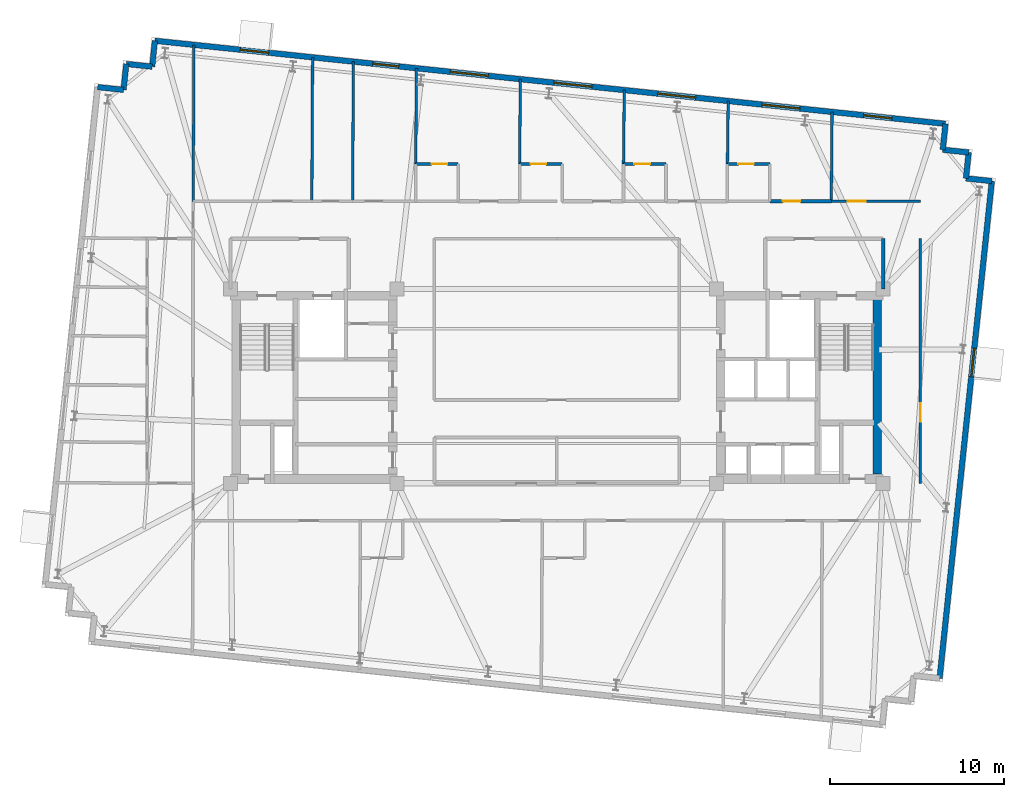
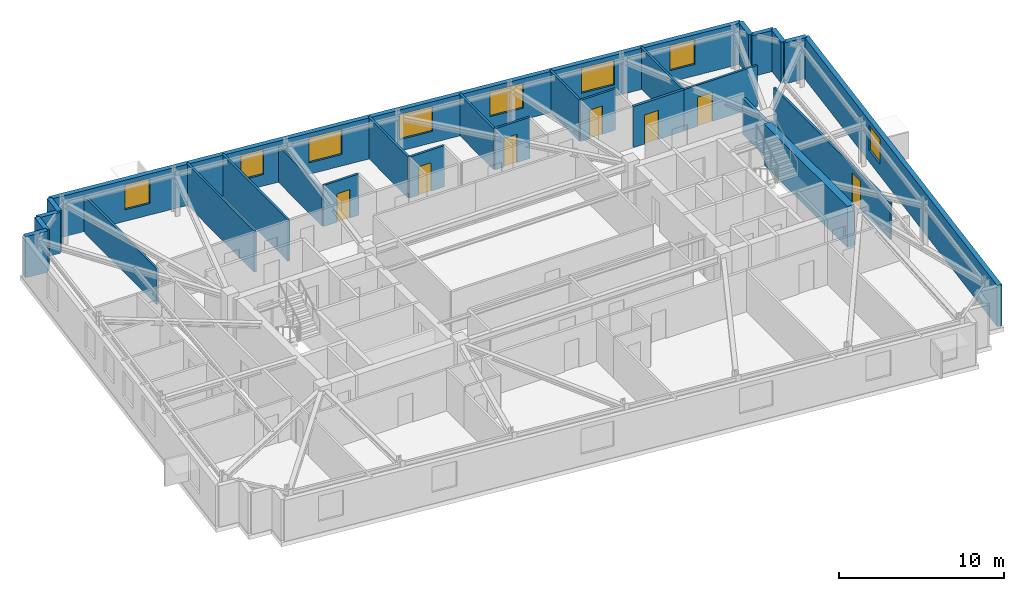
# One storey, part 9 of 13: 27 walls, 8 windows, 7 doors, 15 openings.
"""IFC4 building model written with IfcOpenShell, lengths in metres."""

from ifc_helpers import new_model, si_unit, direction, frame, frame_2d, origin, place, context, subcontext, project, spatial, rectangle, extrude, material, layer, layer_set, type_object, element, fill, save


model = new_model("IFC4")

# Units and contexts
model_context = context("Model", 3, precision=1e-05, world=origin(), true_north=direction((0.0, 1.0)))
body_context = subcontext(model_context, "Body", "Model", "MODEL_VIEW")
ifc_project = project(units=[si_unit("LENGTHUNIT", "METRE"), si_unit("AREAUNIT", "SQUARE_METRE"), si_unit("VOLUMEUNIT", "CUBIC_METRE"), si_unit("PLANEANGLEUNIT", "RADIAN"), si_unit("MASSUNIT", "GRAM", prefix="KILO")], contexts=[model_context])

# Site, building, storey
site_placement = place(None, origin())
site = spatial("IfcSite", under=ifc_project, at=site_placement, CompositionType="ELEMENT")
building_placement = place(site_placement, origin())
building = spatial("IfcBuilding", under=site, at=building_placement, Name="Qobustan Lattice House", CompositionType="ELEMENT")
storey_placement = place(building_placement, frame((0.0, 0.0, 186.35009765625)))
storey = spatial("IfcBuildingStorey", under=building, at=storey_placement, Name="L52", CompositionType="ELEMENT", Elevation=186.35009765625)

# Walls
ifc_material_1 = material(Name="Concrete C50/60", Category="concrete")
ifc_layer_1 = layer(ifc_material_1, 0.5)
ifc_layer_set_1 = layer_set([ifc_layer_1], Name="Concrete C50/60")
wall_type_1 = type_object("IfcWallType", Name="WAL-CORE-500", PredefinedType="SHEAR", material=ifc_layer_set_1)
wall_1_placement = place(storey_placement, frame((18.4599609375, -5.050048828125, 0.0), z_axis=(0.0, 0.0, 1.0), x_axis=(0.0, 1.0, 0.0)))
element("IfcWall", 1, at=wall_1_placement, inside=storey, type_object=wall_type_1, Name="L52 split-core shear wall CE-E", PredefinedType="SHEAR", context=body_context, shape_type="SweptSolid", body=[
    extrude(rectangle(XDim=10.10009765625, YDim=0.5, at=frame_2d((5.050048828125, 0.0))), origin(), (0.0, 0.0, 1.0), 3.039794921875),
])
ifc_material_2 = material(Name="Precast concrete C40/50", Category="concrete")
ifc_layer_2 = layer(ifc_material_2, 0.320068359375)
ifc_layer_set_2 = layer_set([ifc_layer_2], Name="Precast concrete C40/50")
wall_type_2 = type_object("IfcWallType", Name="WAL-EXT-STONE-320", PredefinedType="SOLIDWALL", material=ifc_layer_set_2)
wall_2_placement = place(storey_placement, frame((-26.452880859375, 17.228515625, 0.0), z_axis=(0.0, 0.0, 1.0), x_axis=(0.994508128223, -0.104659366031, 0.0)))
element("IfcWall", 2, at=wall_2_placement, inside=storey, type_object=wall_type_2, Name="L52 exterior limestone-clad wall 6", PredefinedType="SOLIDWALL", context=body_context, shape_type="SweptSolid", body=[
    extrude(rectangle(XDim=1.5, YDim=0.320068359375, at=frame_2d((0.75, 0.0))), origin(), (0.0, 0.0, 1.0), 3.039794921875),
])
wall_3_placement = place(storey_placement, frame((-24.961181640625, 17.071533203125, 0.0), z_axis=(0.0, 0.0, 1.0), x_axis=(0.104642427191, 0.994509910675, 0.0)))
element("IfcWall", 3, at=wall_3_placement, inside=storey, type_object=wall_type_2, Name="L52 exterior limestone-clad wall 7", PredefinedType="SOLIDWALL", context=body_context, shape_type="SweptSolid", body=[
    extrude(rectangle(XDim=1.500244140625, YDim=0.320068359375, at=frame_2d((0.75, 0.0))), origin(), (0.0, 0.0, 1.0), 3.039794921875),
])
wall_4_placement = place(storey_placement, frame((-24.80419921875, 18.5634765625, 0.0), z_axis=(0.0, 0.0, 1.0), x_axis=(0.994508128223, -0.104659366031, 0.0)))
element("IfcWall", 4, at=wall_4_placement, inside=storey, type_object=wall_type_2, Name="L52 exterior limestone-clad wall 8", PredefinedType="SOLIDWALL", context=body_context, shape_type="SweptSolid", body=[
    extrude(rectangle(XDim=1.5, YDim=0.320068359375, at=frame_2d((0.75, 0.0))), origin(), (0.0, 0.0, 1.0), 3.039794921875),
])
wall_5_placement = place(storey_placement, frame((-23.3125, 18.406494140625, 0.0), z_axis=(0.0, 0.0, 1.0), x_axis=(0.104481464157, 0.994526834051, 0.0)))
element("IfcWall", 5, at=wall_5_placement, inside=storey, type_object=wall_type_2, Name="L52 exterior limestone-clad wall 9", PredefinedType="SOLIDWALL", context=body_context, shape_type="SweptSolid", body=[
    extrude(rectangle(XDim=1.500244140625, YDim=0.320068359375, at=frame_2d((0.75, 0.0))), origin(), (0.0, 0.0, 1.0), 3.039794921875),
])

# Wall, openings, windows
wall_6_placement = place(storey_placement, frame((-23.15576171875, 19.8984375, 0.0), z_axis=(0.0, 0.0, 1.0), x_axis=(0.994522001802, -0.104527450613, 0.0)))
wall_6 = element("IfcWall", 6, at=wall_6_placement, inside=storey, type_object=wall_type_2, Name="L52 exterior limestone-clad wall 10", PredefinedType="SOLIDWALL", context=body_context, shape_type="SweptSolid", body=[
    extrude(rectangle(XDim=45.800048828125, YDim=0.320068359375, at=frame_2d((22.89990234375, 0.0))), origin(), (0.0, 0.0, 1.0), 3.039794921875),
])
opening_1_placement = place(wall_6_placement, frame((4.93994140625, 0.0, 0.85009765625)))
opening_1 = element("IfcOpeningElement", 7, at=opening_1_placement, cuts=wall_6, Name="Opening WN-09", PredefinedType="OPENING", context=body_context, shape_type="SweptSolid", body=[
    extrude(rectangle(XDim=1.64990234375, YDim=1.85009765625, at=frame_2d((0.824951171875, 0.925048828125))), frame((0.0, 0.169921875, 0.0), z_axis=(0.0, -1.0, 0.0), x_axis=(1.0, 0.0, 0.0)), (0.0, 0.0, 1.0), 0.340087890625),
])
opening_2_placement = place(wall_6_placement, frame((12.62158203125, 0.0, 0.85009765625)))
opening_2 = element("IfcOpeningElement", 8, at=opening_2_placement, cuts=wall_6, Name="Opening WN-01", PredefinedType="OPENING", context=body_context, shape_type="SweptSolid", body=[
    extrude(rectangle(XDim=1.5, YDim=1.85009765625, at=frame_2d((0.75, 0.925048828125))), frame((0.0, 0.169921875, 0.0), z_axis=(0.0, -1.0, 0.0), x_axis=(1.0, 0.0, 0.0)), (0.0, 0.0, 1.0), 0.340087890625),
])
opening_3_placement = place(wall_6_placement, frame((17.115966796875, 0.0, 0.85009765625)))
opening_3 = element("IfcOpeningElement", 9, at=opening_3_placement, cuts=wall_6, Name="Opening WN-03", PredefinedType="OPENING", context=body_context, shape_type="SweptSolid", body=[
    extrude(rectangle(XDim=2.199951171875, YDim=1.85009765625, at=frame_2d((1.10009765625, 0.925048828125))), frame((0.0, 0.169921875, 0.0), z_axis=(0.0, -1.0, 0.0), x_axis=(1.0, 0.0, 0.0)), (0.0, 0.0, 1.0), 0.340087890625),
])
opening_4_placement = place(wall_6_placement, frame((23.12109375, 0.0, 0.85009765625)))
opening_4 = element("IfcOpeningElement", 10, at=opening_4_placement, cuts=wall_6, Name="Opening WN-03", PredefinedType="OPENING", context=body_context, shape_type="SweptSolid", body=[
    extrude(rectangle(XDim=2.199951171875, YDim=1.85009765625, at=frame_2d((1.10009765625, 0.925048828125))), frame((0.0, 0.169921875, 0.0), z_axis=(0.0, -1.0, 0.0), x_axis=(1.0, 0.0, 0.0)), (0.0, 0.0, 1.0), 0.340087890625),
])
opening_5_placement = place(wall_6_placement, frame((29.12646484375, 0.0, 0.85009765625)))
opening_5 = element("IfcOpeningElement", 11, at=opening_5_placement, cuts=wall_6, Name="Opening WN-03", PredefinedType="OPENING", context=body_context, shape_type="SweptSolid", body=[
    extrude(rectangle(XDim=2.199951171875, YDim=1.85009765625, at=frame_2d((1.10009765625, 0.925048828125))), frame((0.0, 0.169921875, 0.0), z_axis=(0.0, -1.0, 0.0), x_axis=(1.0, 0.0, 0.0)), (0.0, 0.0, 1.0), 0.340087890625),
])
opening_6_placement = place(wall_6_placement, frame((35.171875, 0.0, 0.85009765625)))
opening_6 = element("IfcOpeningElement", 12, at=opening_6_placement, cuts=wall_6, Name="Opening WN-03", PredefinedType="OPENING", context=body_context, shape_type="SweptSolid", body=[
    extrude(rectangle(XDim=2.199951171875, YDim=1.85009765625, at=frame_2d((1.10009765625, 0.925048828125))), frame((0.0, 0.169921875, 0.0), z_axis=(0.0, -1.0, 0.0), x_axis=(1.0, 0.0, 0.0)), (0.0, 0.0, 1.0), 0.340087890625),
])
opening_7_placement = place(wall_6_placement, frame((41.0517578125, 0.0, 0.85009765625)))
opening_7 = element("IfcOpeningElement", 13, at=opening_7_placement, cuts=wall_6, Name="Opening WN-09", PredefinedType="OPENING", context=body_context, shape_type="SweptSolid", body=[
    extrude(rectangle(XDim=1.64990234375, YDim=1.85009765625, at=frame_2d((0.824951171875, 0.925048828125))), frame((0.0, 0.169921875, 0.0), z_axis=(0.0, -1.0, 0.0), x_axis=(1.0, 0.0, 0.0)), (0.0, 0.0, 1.0), 0.340087890625),
])
ifc_material_3 = material(Name="Double-glazed low-E aluminium window", Category="aluminium")
window_type_1 = type_object("IfcWindowType", Name="WIN-BED-1500x1850", PartitioningType="SINGLE_PANEL", PredefinedType="WINDOW", material=ifc_material_3)
window_1_placement = place(opening_2_placement, origin())
window_1 = element("IfcWindow", 14, at=window_1_placement, inside=storey, type_object=window_type_1, Name="L52 Laundry utility room window", OverallHeight=1.85009765625, OverallWidth=1.5, PartitioningType="SINGLE_PANEL", PredefinedType="WINDOW", context=body_context, shape_type="SweptSolid", body=[
    extrude(rectangle(XDim=1.5, YDim=1.85009765625, at=frame_2d((0.75, 0.925048828125))), frame((0.0, 0.030029296875, 0.0), z_axis=(0.0, -1.0, 0.0), x_axis=(1.0, 0.0, 0.0)), (0.0, 0.0, 1.0), 0.06005859375),
])
fill(opening_2, window_1)
ifc_material_4 = material(Name="Double-glazed low-E aluminium window", Category="aluminium")
window_type_2 = type_object("IfcWindowType", Name="WIN-STU-1650x1850", PartitioningType="SINGLE_PANEL", PredefinedType="WINDOW", material=ifc_material_4)
window_2_placement = place(opening_1_placement, origin())
window_2 = element("IfcWindow", 15, at=window_2_placement, inside=storey, type_object=window_type_2, Name="L52 Focus study room N1 window", OverallHeight=1.85009765625, OverallWidth=1.64990234375, PartitioningType="SINGLE_PANEL", PredefinedType="WINDOW", context=body_context, shape_type="SweptSolid", body=[
    extrude(rectangle(XDim=1.64990234375, YDim=1.85009765625, at=frame_2d((0.824951171875, 0.925048828125))), frame((0.0, 0.030029296875, 0.0), z_axis=(0.0, -1.0, 0.0), x_axis=(1.0, 0.0, 0.0)), (0.0, 0.0, 1.0), 0.06005859375),
])
fill(opening_1, window_2)
window_3_placement = place(opening_7_placement, origin())
window_3 = element("IfcWindow", 16, at=window_3_placement, inside=storey, type_object=window_type_2, Name="L52 Focus study room N7 window", OverallHeight=1.85009765625, OverallWidth=1.64990234375, PartitioningType="SINGLE_PANEL", PredefinedType="WINDOW", context=body_context, shape_type="SweptSolid", body=[
    extrude(rectangle(XDim=1.64990234375, YDim=1.85009765625, at=frame_2d((0.824951171875, 0.925048828125))), frame((0.0, 0.030029296875, 0.0), z_axis=(0.0, -1.0, 0.0), x_axis=(1.0, 0.0, 0.0)), (0.0, 0.0, 1.0), 0.06005859375),
])
fill(opening_7, window_3)
ifc_material_5 = material(Name="Double-glazed low-E aluminium window", Category="aluminium")
window_type_3 = type_object("IfcWindowType", Name="WIN-WIDE-2200x1850", PartitioningType="SINGLE_PANEL", PredefinedType="WINDOW", material=ifc_material_5)
window_4_placement = place(opening_3_placement, origin())
window_4 = element("IfcWindow", 17, at=window_4_placement, inside=storey, type_object=window_type_3, Name="L52 Kitchenette and studio apartment L52-N3 window", OverallHeight=1.85009765625, OverallWidth=2.199951171875, PartitioningType="SINGLE_PANEL", PredefinedType="WINDOW", context=body_context, shape_type="SweptSolid", body=[
    extrude(rectangle(XDim=2.199951171875, YDim=1.85009765625, at=frame_2d((1.10009765625, 0.925048828125))), frame((0.0, 0.030029296875, 0.0), z_axis=(0.0, -1.0, 0.0), x_axis=(1.0, 0.0, 0.0)), (0.0, 0.0, 1.0), 0.06005859375),
])
fill(opening_3, window_4)
window_5_placement = place(opening_4_placement, origin())
window_5 = element("IfcWindow", 18, at=window_5_placement, inside=storey, type_object=window_type_3, Name="L52 Kitchenette and studio apartment L52-N4 window", OverallHeight=1.85009765625, OverallWidth=2.199951171875, PartitioningType="SINGLE_PANEL", PredefinedType="WINDOW", context=body_context, shape_type="SweptSolid", body=[
    extrude(rectangle(XDim=2.199951171875, YDim=1.85009765625, at=frame_2d((1.10009765625, 0.925048828125))), frame((0.0, 0.030029296875, 0.0), z_axis=(0.0, -1.0, 0.0), x_axis=(1.0, 0.0, 0.0)), (0.0, 0.0, 1.0), 0.06005859375),
])
fill(opening_4, window_5)
window_6_placement = place(opening_5_placement, origin())
window_6 = element("IfcWindow", 19, at=window_6_placement, inside=storey, type_object=window_type_3, Name="L52 Kitchenette and studio apartment L52-N5 window", OverallHeight=1.85009765625, OverallWidth=2.199951171875, PartitioningType="SINGLE_PANEL", PredefinedType="WINDOW", context=body_context, shape_type="SweptSolid", body=[
    extrude(rectangle(XDim=2.199951171875, YDim=1.85009765625, at=frame_2d((1.10009765625, 0.925048828125))), frame((0.0, 0.030029296875, 0.0), z_axis=(0.0, -1.0, 0.0), x_axis=(1.0, 0.0, 0.0)), (0.0, 0.0, 1.0), 0.06005859375),
])
fill(opening_5, window_6)
window_7_placement = place(opening_6_placement, origin())
window_7 = element("IfcWindow", 20, at=window_7_placement, inside=storey, type_object=window_type_3, Name="L52 Kitchenette and studio apartment L52-N6 window", OverallHeight=1.85009765625, OverallWidth=2.199951171875, PartitioningType="SINGLE_PANEL", PredefinedType="WINDOW", context=body_context, shape_type="SweptSolid", body=[
    extrude(rectangle(XDim=2.199951171875, YDim=1.85009765625, at=frame_2d((1.10009765625, 0.925048828125))), frame((0.0, 0.030029296875, 0.0), z_axis=(0.0, -1.0, 0.0), x_axis=(1.0, 0.0, 0.0)), (0.0, 0.0, 1.0), 0.06005859375),
])
fill(opening_6, window_7)

# Walls
wall_7_placement = place(storey_placement, frame((22.393310546875, 15.111083984375, 0.0), z_axis=(0.0, 0.0, 1.0), x_axis=(-0.104481464157, -0.994526834051, 0.0)))
element("IfcWall", 21, at=wall_7_placement, inside=storey, type_object=wall_type_2, Name="L52 exterior limestone-clad wall 11", PredefinedType="SOLIDWALL", context=body_context, shape_type="SweptSolid", body=[
    extrude(rectangle(XDim=1.500244140625, YDim=0.320068359375, at=frame_2d((0.75, 0.0))), origin(), (0.0, 0.0, 1.0), 3.039794921875),
])
for number, where, z_axis, x_axis, name in (
    (22, (22.236572265625, 13.619140625, 0.0), (0.0, 0.0, 1.0), (0.994525057048, -0.104498377516, 0.0), "L52 exterior limestone-clad wall 12"),
    (23, (23.728271484375, 13.46240234375, 0.0), (0.0, 0.0, 1.0), (-0.104498377516, -0.994525057048, 0.0), "L52 exterior limestone-clad wall 13"),
    (24, (23.571533203125, 11.970703125, 0.0), (0.0, 0.0, 1.0), (0.994508128223, -0.104659366031, 0.0), "L52 exterior limestone-clad wall 14"),
):
    element("IfcWall", number, at=place(storey_placement, frame(where, z_axis=z_axis, x_axis=x_axis)), inside=storey, type_object=wall_type_2, Name=name, PredefinedType="SOLIDWALL", context=body_context, shape_type="SweptSolid", body=[
        extrude(rectangle(XDim=1.5, YDim=0.320068359375, at=frame_2d((0.75, 0.0))), origin(), (0.0, 0.0, 1.0), 3.039794921875),
    ])

# Wall, opening, window
wall_8_placement = place(storey_placement, frame((25.063232421875, 11.813720703125, 0.0), z_axis=(0.0, 0.0, 1.0), x_axis=(-0.104523275986, -0.99452244056, 0.0)))
wall_8 = element("IfcWall", 25, at=wall_8_placement, inside=storey, type_object=wall_type_2, Name="L52 exterior limestone-clad wall 15", PredefinedType="SOLIDWALL", context=body_context, shape_type="SweptSolid", body=[
    extrude(rectangle(XDim=28.7998046875, YDim=0.320068359375, at=frame_2d((14.39990234375, 0.0))), origin(), (0.0, 0.0, 1.0), 3.039794921875),
])
opening_8_placement = place(wall_8_placement, frame((9.68408203125, 0.0, 0.85009765625)))
opening_8 = element("IfcOpeningElement", 26, at=opening_8_placement, cuts=wall_8, Name="Opening WN-09", PredefinedType="OPENING", context=body_context, shape_type="SweptSolid", body=[
    extrude(rectangle(XDim=1.64990234375, YDim=1.85009765625, at=frame_2d((0.824951171875, 0.925048828125))), frame((0.0, 0.169921875, 0.0), z_axis=(0.0, -1.0, 0.0), x_axis=(1.0, 0.0, 0.0)), (0.0, 0.0, 1.0), 0.340087890625),
])
window_8_placement = place(opening_8_placement, origin())
window_8 = element("IfcWindow", 27, at=window_8_placement, inside=storey, type_object=window_type_2, Name="L52 Communal study lounge window", OverallHeight=1.85009765625, OverallWidth=1.64990234375, PartitioningType="SINGLE_PANEL", PredefinedType="WINDOW", context=body_context, shape_type="SweptSolid", body=[
    extrude(rectangle(XDim=1.64990234375, YDim=1.85009765625, at=frame_2d((0.824951171875, 0.925048828125))), frame((0.0, 0.030029296875, 0.0), z_axis=(0.0, -1.0, 0.0), x_axis=(1.0, 0.0, 0.0)), (0.0, 0.0, 1.0), 0.06005859375),
])
fill(opening_8, window_8)

# Wall, opening, door
ifc_material_6 = material(Name="Gypsum fireboard acoustic partition", Category="gypsum")
ifc_layer_3 = layer(ifc_material_6, 0.179931640625)
ifc_layer_set_3 = layer_set([ifc_layer_3], Name="Gypsum fireboard acoustic partition")
wall_type_3 = type_object("IfcWallType", Name="WAL-FIRE-180", PredefinedType="PARTITIONING", material=ifc_layer_set_3)
wall_9_placement = place(storey_placement, frame((12.279052734375, 10.64990234375, 0.0), z_axis=(0.0, 0.0, 1.0), x_axis=(1.0, 0.0, 0.0)))
wall_9 = element("IfcWall", 28, at=wall_9_placement, inside=storey, type_object=wall_type_3, Name="L52 interior partition 43", PredefinedType="PARTITIONING", context=body_context, shape_type="SweptSolid", body=[
    extrude(rectangle(XDim=3.534912109375, YDim=0.179931640625, at=frame_2d((1.767578125, 0.0))), origin(), (0.0, 0.0, 1.0), 3.039794921875),
])
opening_9_placement = place(wall_9_placement, frame((0.751953125, 0.0, 0.0)))
opening_9 = element("IfcOpeningElement", 29, at=opening_9_placement, cuts=wall_9, Name="Opening FD-02", PredefinedType="OPENING", context=body_context, shape_type="SweptSolid", body=[
    extrude(rectangle(XDim=1.0, YDim=2.14990234375, at=frame_2d((0.5, 1.074951171875))), frame((0.0, 0.099853515625, 0.0), z_axis=(0.0, -1.0, 0.0), x_axis=(1.0, 0.0, 0.0)), (0.0, 0.0, 1.0), 0.199951171875),
])
ifc_material_7 = material(Name="Persian walnut timber and steel frame door", Category="steel")
door_type_1 = type_object("IfcDoorType", Name="DOR-UNIT-FD-1000x2150", OperationType="NOTDEFINED", PredefinedType="DOOR", material=ifc_material_7)
door_1_placement = place(opening_9_placement, origin())
door_1 = element("IfcDoor", 30, at=door_1_placement, inside=storey, type_object=door_type_1, Name="L52 North-east floor corridor to Kitchenette and studio apartment L52-N6 door", OperationType="SINGLE_SWING_LEFT", OverallHeight=2.14990234375, OverallWidth=1.0, PredefinedType="DOOR", context=body_context, shape_type="SweptSolid", body=[
    extrude(rectangle(XDim=1.0, YDim=2.14990234375, at=frame_2d((0.5, 1.074951171875))), frame((0.0, 0.02490234375, 0.0), z_axis=(0.0, -1.0, 0.0), x_axis=(1.0, 0.0, 0.0)), (0.0, 0.0, 1.0), 0.050048828125),
])
fill(opening_9, door_1)

ifc_material_8 = material(Name="Acoustic twin-stud gypsum partition", Category="gypsum")
ifc_layer_4 = layer(ifc_material_8, 0.14990234375)
ifc_layer_set_4 = layer_set([ifc_layer_4], Name="Acoustic twin-stud gypsum partition")
wall_type_4 = type_object("IfcWallType", Name="WAL-PART-150", PredefinedType="PARTITIONING", material=ifc_layer_set_4)
wall_10_placement = place(storey_placement, frame((15.81396484375, 10.64990234375, 0.0), z_axis=(0.0, 0.0, 1.0), x_axis=(1.0, 0.0, 0.0)))
wall_10 = element("IfcWall", 31, at=wall_10_placement, inside=storey, type_object=wall_type_4, Name="L52 interior partition 45", PredefinedType="PARTITIONING", context=body_context, shape_type="SweptSolid", body=[
    extrude(rectangle(XDim=5.135986328125, YDim=0.14990234375, at=frame_2d((2.56787109375, 0.0))), origin(), (0.0, 0.0, 1.0), 3.039794921875),
])
opening_10_placement = place(wall_10_placement, frame((0.94580078125, 0.0, 0.0)))
opening_10 = element("IfcOpeningElement", 32, at=opening_10_placement, cuts=wall_10, Name="Opening ID-02", PredefinedType="OPENING", context=body_context, shape_type="SweptSolid", body=[
    extrude(rectangle(XDim=1.050048828125, YDim=2.14990234375, at=frame_2d((0.52490234375, 1.074951171875))), frame((0.0, 0.0849609375, 0.0), z_axis=(0.0, -1.0, 0.0), x_axis=(1.0, 0.0, 0.0)), (0.0, 0.0, 1.0), 0.169921875),
])
ifc_material_9 = material(Name="Persian walnut timber and steel frame door", Category="steel")
door_type_2 = type_object("IfcDoorType", Name="DOR-STUDY-1050x2150", OperationType="NOTDEFINED", PredefinedType="DOOR", material=ifc_material_9)
door_2_placement = place(opening_10_placement, origin())
door_2 = element("IfcDoor", 33, at=door_2_placement, inside=storey, type_object=door_type_2, Name="L52 North-east floor corridor to Focus study room N7 door", OperationType="SINGLE_SWING_RIGHT", OverallHeight=2.14990234375, OverallWidth=1.050048828125, PredefinedType="DOOR", context=body_context, shape_type="SweptSolid", body=[
    extrude(rectangle(XDim=1.050048828125, YDim=2.14990234375, at=frame_2d((0.52490234375, 1.074951171875))), frame((0.0, 0.02490234375, 0.0), z_axis=(0.0, -1.0, 0.0), x_axis=(1.0, 0.0, 0.0)), (0.0, 0.0, 1.0), 0.050048828125),
])
fill(opening_10, door_2)

wall_11_placement = place(storey_placement, frame((20.949951171875, 8.5, 0.0), z_axis=(0.0, 0.0, 1.0), x_axis=(0.0, -1.0, 0.0)))
wall_11 = element("IfcWall", 34, at=wall_11_placement, inside=storey, type_object=wall_type_4, Name="L52 interior partition 59", PredefinedType="PARTITIONING", context=body_context, shape_type="SweptSolid", body=[
    extrude(rectangle(XDim=14.10009765625, YDim=0.14990234375, at=frame_2d((7.050048828125, 0.0))), origin(), (0.0, 0.0, 1.0), 2.69482421875),
])
opening_11_placement = place(wall_11_placement, frame((9.49755859375, 0.0, 0.0)))
opening_11 = element("IfcOpeningElement", 35, at=opening_11_placement, cuts=wall_11, Name="Opening ID-02", PredefinedType="OPENING", context=body_context, shape_type="SweptSolid", body=[
    extrude(rectangle(XDim=1.050048828125, YDim=2.14990234375, at=frame_2d((0.52490234375, 1.074951171875))), frame((0.0, 0.0849609375, 0.0), z_axis=(0.0, -1.0, 0.0), x_axis=(1.0, 0.0, 0.0)), (0.0, 0.0, 1.0), 0.169921875),
])
door_3_placement = place(opening_11_placement, origin())
door_3 = element("IfcDoor", 36, at=door_3_placement, inside=storey, type_object=door_type_2, Name="L52 East wing spine gallery to Communal study lounge door", OperationType="SINGLE_SWING_RIGHT", OverallHeight=2.14990234375, OverallWidth=1.050048828125, PredefinedType="DOOR", context=body_context, shape_type="SweptSolid", body=[
    extrude(rectangle(XDim=1.050048828125, YDim=2.14990234375, at=frame_2d((0.52490234375, 1.074951171875))), frame((0.0, 0.02490234375, 0.0), z_axis=(0.0, -1.0, 0.0), x_axis=(1.0, 0.0, 0.0)), (0.0, 0.0, 1.0), 0.050048828125),
])
fill(opening_11, door_3)

# Walls
wall_12_placement = place(storey_placement, frame((-20.906005859375, 19.661865234375, 0.0), z_axis=(0.0, 0.0, 1.0), x_axis=(-0.004876272857, -0.999988110911, 0.0)))
element("IfcWall", 37, at=wall_12_placement, inside=storey, type_object=wall_type_4, Name="L52 interior partition 75", PredefinedType="PARTITIONING", context=body_context, shape_type="SweptSolid", body=[
    extrude(rectangle(XDim=9.011962890625, YDim=0.14990234375, at=frame_2d((4.505859375, 0.0))), origin(), (0.0, 0.0, 1.0), 2.664794921875),
])
wall_13_placement = place(storey_placement, frame((-8.085205078125, 18.314453125, 0.0), z_axis=(0.0, 0.0, 1.0), x_axis=(-0.007924663713, -0.99996859936, 0.0)))
element("IfcWall", 38, at=wall_13_placement, inside=storey, type_object=wall_type_4, Name="L52 interior partition 84", PredefinedType="PARTITIONING", context=body_context, shape_type="SweptSolid", body=[
    extrude(rectangle(XDim=5.5146484375, YDim=0.14990234375, at=frame_2d((2.75732421875, 0.0))), origin(), (0.0, 0.0, 1.0), 2.664794921875),
])
wall_14_placement = place(storey_placement, frame((-2.09912109375, 17.685302734375, 0.0), z_axis=(0.0, 0.0, 1.0), x_axis=(-0.008995138317, -0.999959542925, 0.0)))
element("IfcWall", 39, at=wall_14_placement, inside=storey, type_object=wall_type_4, Name="L52 interior partition 88", PredefinedType="PARTITIONING", context=body_context, shape_type="SweptSolid", body=[
    extrude(rectangle(XDim=4.885498046875, YDim=0.14990234375, at=frame_2d((2.44287109375, 0.0))), origin(), (0.0, 0.0, 1.0), 3.039794921875),
])
wall_15_placement = place(storey_placement, frame((3.886962890625, 17.05615234375, 0.0), z_axis=(0.0, 0.0, 1.0), x_axis=(-0.010324694878, -0.999946698917, 0.0)))
element("IfcWall", 40, at=wall_15_placement, inside=storey, type_object=wall_type_4, Name="L52 interior partition 92", PredefinedType="PARTITIONING", context=body_context, shape_type="SweptSolid", body=[
    extrude(rectangle(XDim=4.25634765625, YDim=0.14990234375, at=frame_2d((2.128173828125, 0.0))), origin(), (0.0, 0.0, 1.0), 3.039794921875),
])
wall_16_placement = place(storey_placement, frame((9.872802734375, 16.427001953125, 0.0), z_axis=(0.0, 0.0, 1.0), x_axis=(-0.012048129237, -0.999927418657, 0.0)))
element("IfcWall", 41, at=wall_16_placement, inside=storey, type_object=wall_type_4, Name="L52 interior partition 96", PredefinedType="PARTITIONING", context=body_context, shape_type="SweptSolid", body=[
    extrude(rectangle(XDim=3.627197265625, YDim=0.14990234375, at=frame_2d((1.8134765625, 0.0))), origin(), (0.0, 0.0, 1.0), 3.039794921875),
])
wall_17_placement = place(storey_placement, frame((15.85791015625, 15.7978515625, 0.0), z_axis=(0.0, 0.0, 1.0), x_axis=(-0.008536158681, -0.999963566334, 0.0)))
element("IfcWall", 42, at=wall_17_placement, inside=storey, type_object=wall_type_4, Name="L52 interior partition 100", PredefinedType="PARTITIONING", context=body_context, shape_type="SweptSolid", body=[
    extrude(rectangle(XDim=5.148193359375, YDim=0.14990234375, at=frame_2d((2.57421875, 0.0))), origin(), (0.0, 0.0, 1.0), 3.039794921875),
])
ifc_material_10 = material(Name="Two-hour gypsum fireboard acoustic partition", Category="gypsum")
ifc_layer_5 = layer(ifc_material_10, 0.199951171875)
ifc_layer_set_5 = layer_set([ifc_layer_5], Name="Two-hour gypsum fireboard acoustic partition")
wall_type_5 = type_object("IfcWallType", Name="WAL-PROT-200", PredefinedType="PARTITIONING", material=ifc_layer_set_5)
wall_18_placement = place(storey_placement, frame((18.800048828125, 5.60009765625, 0.0), z_axis=(0.0, 0.0, 1.0), x_axis=(0.0, 1.0, 0.0)))
element("IfcWall", 43, at=wall_18_placement, inside=storey, type_object=wall_type_5, Name="L52 interior partition 18", PredefinedType="PARTITIONING", context=body_context, shape_type="SweptSolid", body=[
    extrude(rectangle(XDim=2.89990234375, YDim=0.199951171875, at=frame_2d((1.449951171875, 0.0))), origin(), (0.0, 0.0, 1.0), 2.664794921875),
])
ifc_material_11 = material(Name="Moisture-resistant acoustic plumbing wall", Category="gypsum")
ifc_layer_6 = layer(ifc_material_11, 0.14990234375)
ifc_layer_set_6 = layer_set([ifc_layer_6], Name="Moisture-resistant acoustic plumbing wall")
wall_type_6 = type_object("IfcWallType", Name="WAL-WET-150", PredefinedType="PLUMBINGWALL", material=ifc_layer_set_6)
wall_19_placement = place(storey_placement, frame((-14.070068359375, 18.943359375, 0.0), z_axis=(0.0, 0.0, 1.0), x_axis=(-0.005298718667, -0.999985961692, 0.0)))
element("IfcWall", 44, at=wall_19_placement, inside=storey, type_object=wall_type_6, Name="L52 interior partition 82", PredefinedType="PLUMBINGWALL", context=body_context, shape_type="SweptSolid", body=[
    extrude(rectangle(XDim=8.29345703125, YDim=0.14990234375, at=frame_2d((4.146728515625, 0.0))), origin(), (0.0, 0.0, 1.0), 3.039794921875),
])
wall_20_placement = place(storey_placement, frame((-11.72021484375, 18.696533203125, 0.0), z_axis=(0.0, 0.0, 1.0), x_axis=(-0.005430909924, -0.9999852525, 0.0)))
element("IfcWall", 45, at=wall_20_placement, inside=storey, type_object=wall_type_6, Name="L52 interior partition 83", PredefinedType="PLUMBINGWALL", context=body_context, shape_type="SweptSolid", body=[
    extrude(rectangle(XDim=8.046630859375, YDim=0.14990234375, at=frame_2d((4.0234375, 0.0))), origin(), (0.0, 0.0, 1.0), 3.039794921875),
])

# Wall, opening, door
wall_21_placement = place(storey_placement, frame((-5.678955078125, 12.800048828125, 0.0), z_axis=(0.0, 0.0, 1.0), x_axis=(-1.0, 0.0, 0.0)))
wall_21 = element("IfcWall", 46, at=wall_21_placement, inside=storey, type_object=wall_type_6, Name="L52 interior partition 86", PredefinedType="PLUMBINGWALL", context=body_context, shape_type="SweptSolid", body=[
    extrude(rectangle(XDim=2.449951171875, YDim=0.14990234375, at=frame_2d((1.22509765625, 0.0))), origin(), (0.0, 0.0, 1.0), 3.039794921875),
])
opening_12_placement = place(wall_21_placement, frame((0.628662109375, 0.0, 0.0)))
opening_12 = element("IfcOpeningElement", 47, at=opening_12_placement, cuts=wall_21, Name="Opening WD-01", PredefinedType="OPENING", context=body_context, shape_type="SweptSolid", body=[
    extrude(rectangle(XDim=0.89990234375, YDim=2.10009765625, at=frame_2d((0.449951171875, 1.050048828125))), frame((0.0, 0.0849609375, 0.0), z_axis=(0.0, -1.0, 0.0), x_axis=(1.0, 0.0, 0.0)), (0.0, 0.0, 1.0), 0.169921875),
])
ifc_material_12 = material(Name="Persian walnut timber and steel frame door", Category="steel")
door_type_3 = type_object("IfcDoorType", Name="DOR-WET-900x2100", OperationType="NOTDEFINED", PredefinedType="DOOR", material=ifc_material_12)
door_4_placement = place(opening_12_placement, origin())
door_4 = element("IfcDoor", 48, at=door_4_placement, inside=storey, type_object=door_type_3, Name="L52 Kitchenette and studio apartment L52-N3 to En-suite bathroom L52-N3 door", OperationType="SINGLE_SWING_LEFT", OverallHeight=2.10009765625, OverallWidth=0.89990234375, PredefinedType="DOOR", context=body_context, shape_type="SweptSolid", body=[
    extrude(rectangle(XDim=0.89990234375, YDim=2.10009765625, at=frame_2d((0.449951171875, 1.050048828125))), frame((0.0, 0.02490234375, 0.0), z_axis=(0.0, -1.0, 0.0), x_axis=(1.0, 0.0, 0.0)), (0.0, 0.0, 1.0), 0.050048828125),
])
fill(opening_12, door_4)

wall_22_placement = place(storey_placement, frame((0.306884765625, 12.800048828125, 0.0), z_axis=(0.0, 0.0, 1.0), x_axis=(-1.0, 0.0, 0.0)))
wall_22 = element("IfcWall", 49, at=wall_22_placement, inside=storey, type_object=wall_type_6, Name="L52 interior partition 90", PredefinedType="PLUMBINGWALL", context=body_context, shape_type="SweptSolid", body=[
    extrude(rectangle(XDim=2.449951171875, YDim=0.14990234375, at=frame_2d((1.22509765625, 0.0))), origin(), (0.0, 0.0, 1.0), 3.039794921875),
])
opening_13_placement = place(wall_22_placement, frame((0.921142578125, 0.0, 0.0)))
opening_13 = element("IfcOpeningElement", 50, at=opening_13_placement, cuts=wall_22, Name="Opening WD-01", PredefinedType="OPENING", context=body_context, shape_type="SweptSolid", body=[
    extrude(rectangle(XDim=0.89990234375, YDim=2.10009765625, at=frame_2d((0.449951171875, 1.050048828125))), frame((0.0, 0.0849609375, 0.0), z_axis=(0.0, -1.0, 0.0), x_axis=(1.0, 0.0, 0.0)), (0.0, 0.0, 1.0), 0.169921875),
])
door_5_placement = place(opening_13_placement, origin())
door_5 = element("IfcDoor", 51, at=door_5_placement, inside=storey, type_object=door_type_3, Name="L52 Kitchenette and studio apartment L52-N4 to En-suite bathroom L52-N4 door", OperationType="SINGLE_SWING_RIGHT", OverallHeight=2.10009765625, OverallWidth=0.89990234375, PredefinedType="DOOR", context=body_context, shape_type="SweptSolid", body=[
    extrude(rectangle(XDim=0.89990234375, YDim=2.10009765625, at=frame_2d((0.449951171875, 1.050048828125))), frame((0.0, 0.02490234375, 0.0), z_axis=(0.0, -1.0, 0.0), x_axis=(1.0, 0.0, 0.0)), (0.0, 0.0, 1.0), 0.050048828125),
])
fill(opening_13, door_5)

wall_23_placement = place(storey_placement, frame((6.29296875, 12.800048828125, 0.0), z_axis=(0.0, 0.0, 1.0), x_axis=(-1.0, 0.0, 0.0)))
wall_23 = element("IfcWall", 52, at=wall_23_placement, inside=storey, type_object=wall_type_6, Name="L52 interior partition 94", PredefinedType="PLUMBINGWALL", context=body_context, shape_type="SweptSolid", body=[
    extrude(rectangle(XDim=2.449951171875, YDim=0.14990234375, at=frame_2d((1.22509765625, 0.0))), origin(), (0.0, 0.0, 1.0), 3.039794921875),
])
opening_14_placement = place(wall_23_placement, frame((0.92138671875, 0.0, 0.0)))
opening_14 = element("IfcOpeningElement", 53, at=opening_14_placement, cuts=wall_23, Name="Opening WD-01", PredefinedType="OPENING", context=body_context, shape_type="SweptSolid", body=[
    extrude(rectangle(XDim=0.89990234375, YDim=2.10009765625, at=frame_2d((0.449951171875, 1.050048828125))), frame((0.0, 0.0849609375, 0.0), z_axis=(0.0, -1.0, 0.0), x_axis=(1.0, 0.0, 0.0)), (0.0, 0.0, 1.0), 0.169921875),
])
door_6_placement = place(opening_14_placement, origin())
door_6 = element("IfcDoor", 54, at=door_6_placement, inside=storey, type_object=door_type_3, Name="L52 Kitchenette and studio apartment L52-N5 to En-suite bathroom L52-N5 door", OperationType="SINGLE_SWING_LEFT", OverallHeight=2.10009765625, OverallWidth=0.89990234375, PredefinedType="DOOR", context=body_context, shape_type="SweptSolid", body=[
    extrude(rectangle(XDim=0.89990234375, YDim=2.10009765625, at=frame_2d((0.449951171875, 1.050048828125))), frame((0.0, 0.02490234375, 0.0), z_axis=(0.0, -1.0, 0.0), x_axis=(1.0, 0.0, 0.0)), (0.0, 0.0, 1.0), 0.050048828125),
])
fill(opening_14, door_6)

wall_24_placement = place(storey_placement, frame((12.279052734375, 12.800048828125, 0.0), z_axis=(0.0, 0.0, 1.0), x_axis=(-1.0, 0.0, 0.0)))
wall_24 = element("IfcWall", 55, at=wall_24_placement, inside=storey, type_object=wall_type_6, Name="L52 interior partition 98", PredefinedType="PLUMBINGWALL", context=body_context, shape_type="SweptSolid", body=[
    extrude(rectangle(XDim=2.449951171875, YDim=0.14990234375, at=frame_2d((1.22509765625, 0.0))), origin(), (0.0, 0.0, 1.0), 3.039794921875),
])
opening_15_placement = place(wall_24_placement, frame((0.921142578125, 0.0, 0.0)))
opening_15 = element("IfcOpeningElement", 56, at=opening_15_placement, cuts=wall_24, Name="Opening WD-01", PredefinedType="OPENING", context=body_context, shape_type="SweptSolid", body=[
    extrude(rectangle(XDim=0.89990234375, YDim=2.10009765625, at=frame_2d((0.449951171875, 1.050048828125))), frame((0.0, 0.0849609375, 0.0), z_axis=(0.0, -1.0, 0.0), x_axis=(1.0, 0.0, 0.0)), (0.0, 0.0, 1.0), 0.169921875),
])
door_7_placement = place(opening_15_placement, origin())
door_7 = element("IfcDoor", 57, at=door_7_placement, inside=storey, type_object=door_type_3, Name="L52 Kitchenette and studio apartment L52-N6 to En-suite bathroom L52-N6 door", OperationType="SINGLE_SWING_RIGHT", OverallHeight=2.10009765625, OverallWidth=0.89990234375, PredefinedType="DOOR", context=body_context, shape_type="SweptSolid", body=[
    extrude(rectangle(XDim=0.89990234375, YDim=2.10009765625, at=frame_2d((0.449951171875, 1.050048828125))), frame((0.0, 0.02490234375, 0.0), z_axis=(0.0, -1.0, 0.0), x_axis=(1.0, 0.0, 0.0)), (0.0, 0.0, 1.0), 0.050048828125),
])
fill(opening_15, door_7)

save(model, "model.ifc")
